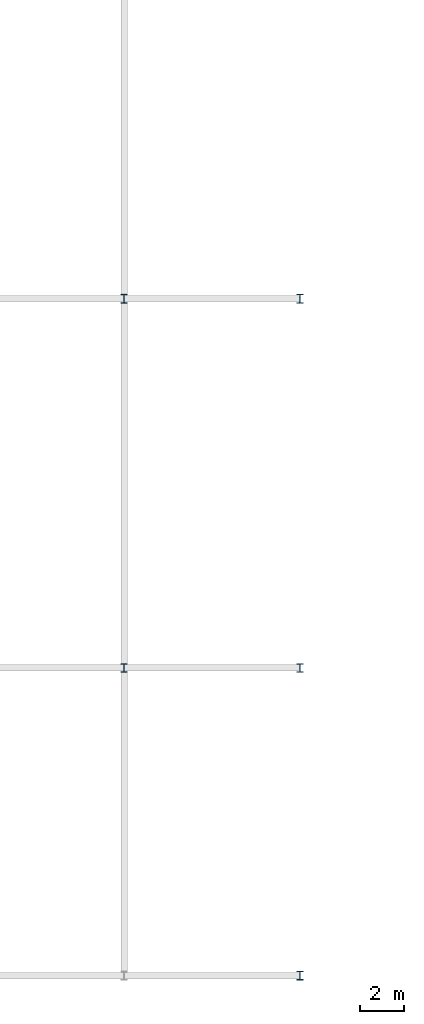
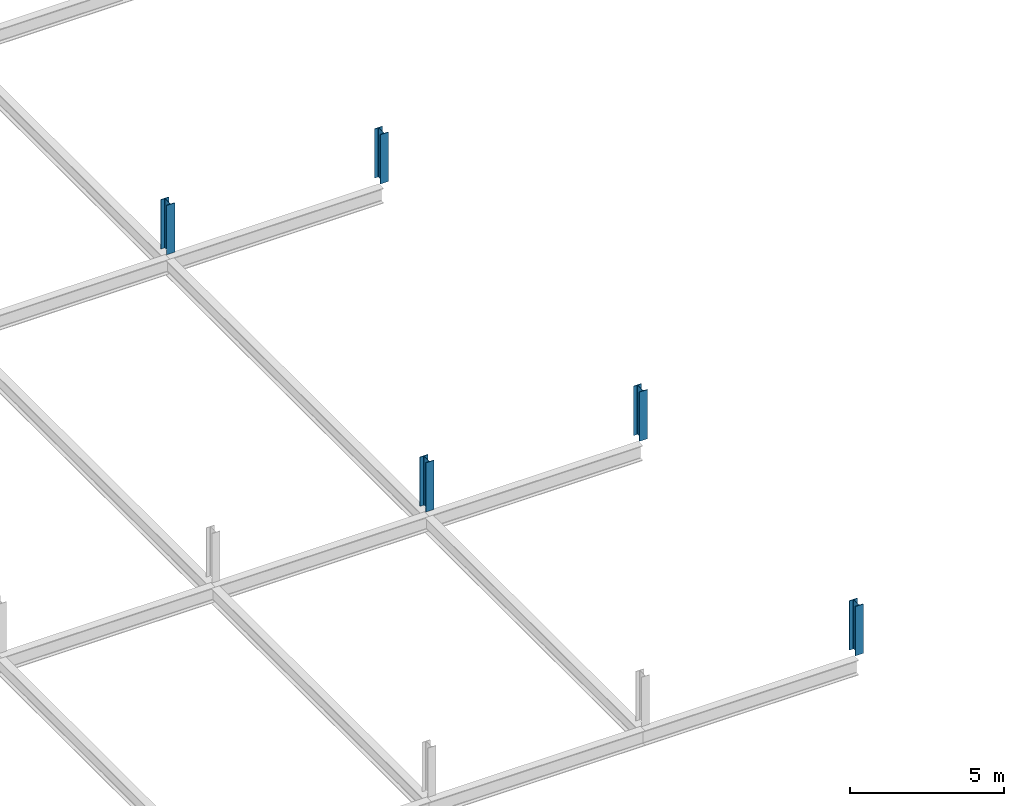
# One storey, part 3 of 25: 5 columns.
"""IFC4 building model written with IfcOpenShell, lengths in metres."""

import ifcopenshell
import ifcopenshell.guid

model = None  # the IFC model being written
_history = None  # IfcOwnerHistory: only IFC2X3 demands one
_inside = {}  # id of a spatial element -> (the spatial element, [elements in it])
_under = {}  # id of a project, library or spatial element -> (it, [spatial elements below it])
_declared = {}  # id of a project -> (the project, [libraries it declares])
_typed = {}  # id of a type object -> (the type object, [elements of that type])
_made_of = {}  # id of a material, layer set ... -> (it, [elements and type objects made of it])


def new_model(schema):
    """Start an empty IFC model of exactly this schema.

    Asked for "IFC4X3", IfcOpenShell would pick the latest addendum, in which some entities
    have other attributes; the version numbers below select the first issue.
    IFC2X3 requires an IfcOwnerHistory on every rooted entity: one is made here for all.
    """
    global model, _history
    if schema == "IFC4X3":
        model = ifcopenshell.file(schema_version=(4, 3, 0, 0))
    else:
        model = ifcopenshell.file(schema=schema)
    _inside.clear()
    _under.clear()
    _declared.clear()
    _typed.clear()
    _made_of.clear()
    _history = None
    if model.schema == "IFC2X3":
        org = make("IfcOrganization", Name="unknown")
        user = make(
            "IfcPersonAndOrganization",
            ThePerson=make("IfcPerson", FamilyName="unknown"),
            TheOrganization=org,
        )
        app = make(
            "IfcApplication",
            ApplicationDeveloper=org,
            Version="unknown",
            ApplicationFullName="unknown",
            ApplicationIdentifier="unknown",
        )
        _history = make(
            "IfcOwnerHistory",
            OwningUser=user,
            OwningApplication=app,
            ChangeAction="ADDED",
            CreationDate=0,
        )
    return model


def make(cls, **values):
    """One entity of the class cls with the attributes given. An attribute that is None is left unset."""
    return model.create_entity(
        cls, **{name: value for name, value in values.items() if value is not None}
    )


def rooted(cls, **values):
    """An entity with a GlobalId (a new one), such as an element, a storey or a relation."""
    return make(cls, GlobalId=ifcopenshell.guid.new(), OwnerHistory=_history, **values)


def si_unit(unit_type, name, prefix=None):
    """IfcSIUnit, for example si_unit("LENGTHUNIT", "METRE", prefix="MILLI")."""
    return make("IfcSIUnit", UnitType=unit_type, Prefix=prefix, Name=name)


def assignment(units):
    """IfcUnitAssignment: the units of a project."""
    return None if units is None else make("IfcUnitAssignment", Units=units)


def point(xyz):
    """IfcCartesianPoint."""
    return None if xyz is None else make("IfcCartesianPoint", Coordinates=xyz)


def direction(xyz):
    """IfcDirection."""
    return None if xyz is None else make("IfcDirection", DirectionRatios=xyz)


def frame(location, z_axis=None, x_axis=None):
    """IfcAxis2Placement3D, a coordinate frame: its origin and axes. An axis left out is left unset."""
    return make(
        "IfcAxis2Placement3D",
        Location=point(location),
        Axis=direction(z_axis),
        RefDirection=direction(x_axis),
    )


def frame_2d(location, x_axis=None):
    """IfcAxis2Placement2D, a coordinate frame in the plane: its origin and x axis."""
    return make(
        "IfcAxis2Placement2D", Location=point(location), RefDirection=direction(x_axis)
    )


def origin():
    """The frame at (0, 0, 0) with its axes left unset."""
    return frame((0.0, 0.0, 0.0))


def origin_2d():
    """The frame at (0, 0) in the plane with its x axis left unset."""
    return frame_2d((0.0, 0.0))


def place(relative_to, where):
    """IfcLocalPlacement: puts the frame where relative to a parent placement (None: the world)."""
    return make(
        "IfcLocalPlacement", PlacementRelTo=relative_to, RelativePlacement=where
    )


def context(
    kind, dimensions, precision=None, world=None, true_north=None, identifier=None
):
    """IfcGeometricRepresentationContext, for example the 3D "Model" context."""
    return make(
        "IfcGeometricRepresentationContext",
        ContextIdentifier=identifier,
        ContextType=kind,
        CoordinateSpaceDimension=dimensions,
        Precision=precision,
        WorldCoordinateSystem=world,
        TrueNorth=true_north,
    )


def subcontext(parent, identifier, kind, view, scale=None):
    """IfcGeometricRepresentationSubContext, for example "Body" below "Model"."""
    return make(
        "IfcGeometricRepresentationSubContext",
        ContextIdentifier=identifier,
        ContextType=kind,
        ParentContext=parent,
        TargetScale=scale,
        TargetView=view,
    )


def project(units=None, contexts=None):
    """IfcProject with its units and contexts."""
    return rooted(
        "IfcProject",
        Name="project",
        RepresentationContexts=contexts,
        UnitsInContext=assignment(units),
    )


def spatial(cls, under=None, at=None, **own):
    """A site, building, storey or space (cls), placed at a placement, below another one or the project."""
    s = rooted(cls, ObjectPlacement=at, **own)
    if under is not None:
        _under.setdefault(under.id(), (under, []))[1].append(s)
    return s


def profile(cls, at=None, kind="AREA", **sizes):
    """A parametric profile (cls). Its sizes go by their IFC names, for example OverallWidth=200.0."""
    return make(cls, ProfileType=kind, Position=at, **sizes)


def i_section(**sizes):
    """IfcIShapeProfileDef."""
    return profile("IfcIShapeProfileDef", **sizes)


def extrude(swept, where, along, depth):
    """IfcExtrudedAreaSolid: the profile swept, set in the frame where, extruded along a direction by depth."""
    return make(
        "IfcExtrudedAreaSolid",
        SweptArea=swept,
        Position=where,
        ExtrudedDirection=direction(along),
        Depth=depth,
    )


def shape(context_of_items, identifier, shape_type, items):
    """IfcShapeRepresentation: the items that make up one representation, for example the "Body"."""
    return make(
        "IfcShapeRepresentation",
        ContextOfItems=context_of_items,
        RepresentationIdentifier=identifier,
        RepresentationType=shape_type,
        Items=items,
    )


def material(Name=None, Category=None):
    """IfcMaterial."""
    return make("IfcMaterial", Name=Name, Category=Category)


def material_profile(
    of_material, cross_section, Name=None, Category=None, Priority=None
):
    """IfcMaterialProfile: a cross section and its material."""
    return make(
        "IfcMaterialProfile",
        Name=Name,
        Material=of_material,
        Profile=cross_section,
        Priority=Priority,
        Category=Category,
    )


def profile_set(profiles, Name=None, composite=None):
    """IfcMaterialProfileSet."""
    return make(
        "IfcMaterialProfileSet",
        Name=Name,
        MaterialProfiles=profiles,
        CompositeProfile=composite,
    )


def made_of(thing, what):
    """Note that an element or type object is made of a material, layer set ...; save() writes the relation."""
    if what is not None:
        _made_of.setdefault(what.id(), (what, []))[1].append(thing)
    return thing


def type_object(cls, material=None, **own):
    """A type object (cls), such as IfcWallType, which elements share."""
    return made_of(rooted(cls, **own), material)


def element(
    cls,
    number,
    at=None,
    inside=None,
    cuts=None,
    type_object=None,
    material=None,
    context=None,
    identifier="Body",
    shape_type=None,
    held_by="IfcProductDefinitionShape",
    body=None,
    shapes=None,
    **own,
):
    """One element of the class cls, such as IfcWall. Its Tag is "e" and its number.

    at: its placement. inside: the storey or other place that contains it. cuts: it is an
    opening in that element (IfcRelVoidsElement). A single representation is given by context,
    identifier, shape_type and body (its items); several are given by shapes. held_by: the class
    of the entity that holds the representations. save() writes the other relations.
    """
    e = rooted(cls, Tag="e%d" % number, ObjectPlacement=at, **own)
    if body is not None:
        shapes = [shape(context, identifier, shape_type, body)]
    if shapes is not None:
        e.Representation = make(held_by, Representations=shapes)
    if inside is not None:
        _inside.setdefault(inside.id(), (inside, []))[1].append(e)
    if cuts is not None:
        rooted(
            "IfcRelVoidsElement", RelatingBuildingElement=cuts, RelatedOpeningElement=e
        )
    if type_object is not None:
        _typed.setdefault(type_object.id(), (type_object, []))[1].append(e)
    return made_of(e, material)


def aggregate(whole, parts):
    """IfcRelAggregates: a whole, such as a stair, and the parts it consists of."""
    return rooted("IfcRelAggregates", RelatingObject=whole, RelatedObjects=parts)


def save(model, path):
    """Write the relations noted so far, then the file.

    IfcRelAggregates (storeys below a building ...), IfcRelContainedInSpatialStructure (elements
    in a storey), IfcRelDefinesByType, IfcRelAssociatesMaterial and IfcRelDeclares: one each for
    every whole, place, type object, material and project.
    """
    for whole, parts in _under.values():
        aggregate(whole, parts)
    for where, things in _inside.values():
        rooted(
            "IfcRelContainedInSpatialStructure",
            RelatedElements=things,
            RelatingStructure=where,
        )
    for kind, things in _typed.values():
        rooted("IfcRelDefinesByType", RelatedObjects=things, RelatingType=kind)
    for what, things in _made_of.values():
        rooted("IfcRelAssociatesMaterial", RelatedObjects=things, RelatingMaterial=what)
    for by, libraries in _declared.values():
        rooted("IfcRelDeclares", RelatingContext=by, RelatedDefinitions=libraries)
    model.write(path)


model = new_model("IFC4")

# Units and contexts
model_context = context("Model", 3, precision=1e-05, world=origin(), true_north=direction((0.0, 1.0)))
body_context = subcontext(model_context, "Body", "Model", "MODEL_VIEW")
ifc_project = project(units=[si_unit("LENGTHUNIT", "METRE"), si_unit("AREAUNIT", "SQUARE_METRE"), si_unit("VOLUMEUNIT", "CUBIC_METRE"), si_unit("PLANEANGLEUNIT", "RADIAN"), si_unit("MASSUNIT", "GRAM", prefix="KILO")], contexts=[model_context])

# Site, building, storey
site_placement = place(None, origin())
site = spatial("IfcSite", under=ifc_project, at=site_placement, CompositionType="ELEMENT")
building_placement = place(site_placement, origin())
building = spatial("IfcBuilding", under=site, at=building_placement, Name="Vekula Escarpment Museum", CompositionType="ELEMENT")
storey_placement = place(building_placement, frame((0.0, 0.0, 26.39990234375)))
storey = spatial("IfcBuildingStorey", under=building, at=storey_placement, Name="L06", CompositionType="ELEMENT", Elevation=26.39990234375)

# Columns
ifc_material = material(Name="Steel S355", Category="steel")
ifc_material_profile = material_profile(ifc_material, i_section(OverallWidth=0.300048828125, OverallDepth=0.39990234375, WebThickness=0.013427734375, FlangeThickness=0.02392578125, FilletRadius=0.027099609375, at=origin_2d()), Name="HEB 400")
ifc_profile_set = profile_set([ifc_material_profile], Name="Steel S355")
column_type = type_object("IfcColumnType", Name="COL-S-HEB400", PredefinedType="COLUMN", material=ifc_profile_set)
for number, where, z_axis, x_axis, name in (
    (1, (118.0, 59.60009765625, 0.0), (0.0, 0.0, 1.0), (1.0, 0.0, 0.0), "Great Hall Roof Column L06 (118.0,59.6)"),
    (2, (118.0, 76.39990234375, 0.0), (0.0, 0.0, 1.0), (1.0, 0.0, 0.0), "Great Hall Roof Column L06 (118.0,76.4)"),
    (3, (126.0, 45.60009765625, 0.0), (0.0, 0.0, 1.0), (1.0, 0.0, 0.0), "Great Hall Roof Column L06 (126.0,45.6)"),
    (4, (126.0, 59.60009765625, 0.0), (0.0, 0.0, 1.0), (1.0, 0.0, 0.0), "Great Hall Roof Column L06 (126.0,59.6)"),
    (5, (126.0, 76.39990234375, 0.0), (0.0, 0.0, 1.0), (1.0, 0.0, 0.0), "Great Hall Roof Column L06 (126.0,76.4)"),
):
    element("IfcColumn", number, at=place(storey_placement, frame(where, z_axis=z_axis, x_axis=x_axis)), inside=storey, type_object=column_type, Name=name, PredefinedType="COLUMN", context=body_context, shape_type="SweptSolid", body=[
        extrude(i_section(OverallWidth=0.300048828125, OverallDepth=0.39990234375, WebThickness=0.013427734375, FlangeThickness=0.02392578125, FilletRadius=0.027099609375, at=origin_2d()), origin(), (0.0, 0.0, 1.0), 1.9501953125),
    ])

save(model, "model.ifc")
